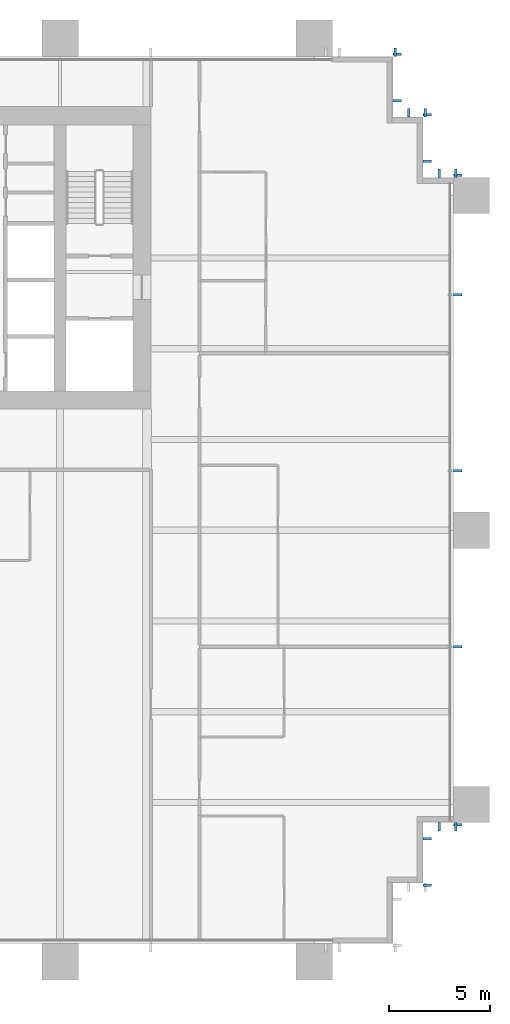
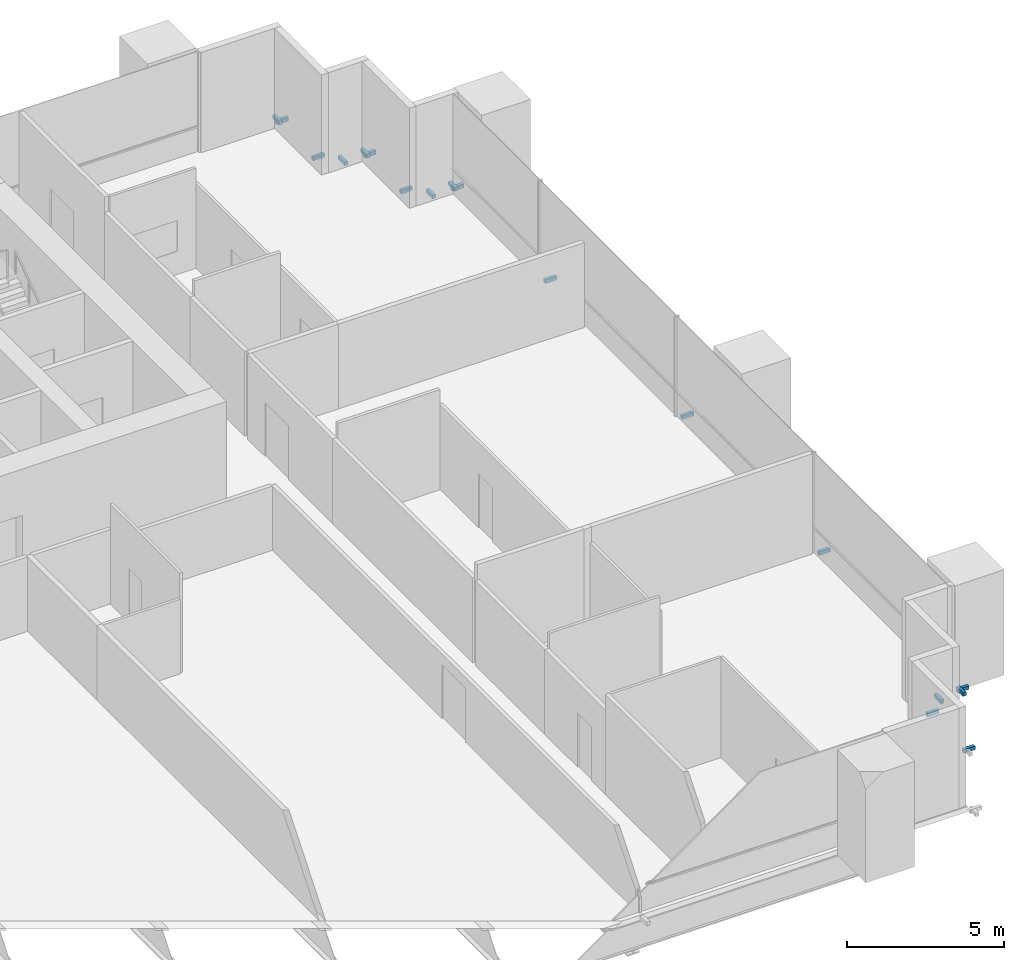
# One storey, part 16 of 17: 18 discrete accessories.
"""IFC4 building model written with IfcOpenShell, lengths in metres."""

from ifc_helpers import new_model, si_unit, direction, frame, origin, origin_2d, place, context, subcontext, project, spatial, rectangle, extrude, element, save


model = new_model("IFC4")

# Units and contexts
model_context = context("Model", 3, precision=1e-05, world=origin(), true_north=direction((0.0, 1.0)))
body_context = subcontext(model_context, "Body", "Model", "MODEL_VIEW")
ifc_project = project(units=[si_unit("LENGTHUNIT", "METRE"), si_unit("AREAUNIT", "SQUARE_METRE"), si_unit("VOLUMEUNIT", "CUBIC_METRE"), si_unit("PLANEANGLEUNIT", "RADIAN"), si_unit("MASSUNIT", "GRAM", prefix="KILO")], contexts=[model_context])

# Site, building, storey
site_placement = place(None, origin())
site = spatial("IfcSite", under=ifc_project, at=site_placement, CompositionType="ELEMENT")
building_placement = place(site_placement, origin())
building = spatial("IfcBuilding", under=site, at=building_placement, Name="Rattan Terrace Tower", CompositionType="ELEMENT")
storey_placement = place(building_placement, frame((0.0, 0.0, 61.10009765625)))
storey = spatial("IfcBuildingStorey", under=building, at=storey_placement, Name="L13", CompositionType="ELEMENT", Elevation=61.10009765625)

# Discrete accessories
for number, where, z_axis, x_axis, name in (
    (1, (31.7099609375, -31.110107421875, -0.169921875), (0.0, 0.0, 1.0), (0.0, 1.0, 0.0), "Panel bracket L13-7"),
    (2, (31.7099609375, -28.7900390625, -0.169921875), (0.0, 0.0, 1.0), (0.0, 1.0, 0.0), "Panel bracket L13-8"),
    (3, (32.2900390625, -28.2099609375, -0.169921875), (0.0, 0.0, 1.0), (1.0, 0.0, 0.0), "Panel bracket L13-9"),
    (4, (33.110107421875, -28.2099609375, -0.169921875), (0.0, 0.0, 1.0), (1.0, 0.0, 0.0), "Panel bracket L13-10"),
    (5, (33.2099609375, -28.110107421875, -0.169921875), (0.0, 0.0, 1.0), (0.0, 1.0, 0.0), "Panel bracket L13-11"),
    (6, (33.2099609375, -19.27294921875, -0.169921875), (0.0, 0.0, 1.0), (0.0, 1.0, 0.0), "Panel bracket L13-12"),
    (7, (33.2099609375, -10.5458984375, -0.169921875), (0.0, 0.0, 1.0), (0.0, 1.0, 0.0), "Panel bracket L13-13"),
    (8, (33.2099609375, -1.819091796875, -0.169921875), (0.0, 0.0, 1.0), (0.0, 1.0, 0.0), "Panel bracket L13-14"),
    (9, (33.2099609375, 4.110107421875, -0.169921875), (0.0, 0.0, 1.0), (0.0, 1.0, 0.0), "Panel bracket L13-15"),
    (10, (33.110107421875, 4.2099609375, -0.169921875), (0.0, 0.0, 1.0), (-1.0, 0.0, 0.0), "Panel bracket L13-16"),
    (11, (32.2900390625, 4.2099609375, -0.169921875), (0.0, 0.0, 1.0), (-1.0, 0.0, 0.0), "Panel bracket L13-17"),
    (12, (31.7099609375, 4.7900390625, -0.169921875), (0.0, 0.0, 1.0), (0.0, 1.0, 0.0), "Panel bracket L13-18"),
    (13, (31.7099609375, 7.110107421875, -0.169921875), (0.0, 0.0, 1.0), (0.0, 1.0, 0.0), "Panel bracket L13-19"),
    (14, (31.610107421875, 7.2099609375, -0.169921875), (0.0, 0.0, 1.0), (-1.0, 0.0, 0.0), "Panel bracket L13-20"),
    (15, (30.7900390625, 7.2099609375, -0.169921875), (0.0, 0.0, 1.0), (-1.0, 0.0, 0.0), "Panel bracket L13-21"),
    (16, (30.2099609375, 7.7900390625, -0.169921875), (0.0, 0.0, 1.0), (0.0, 1.0, 0.0), "Panel bracket L13-22"),
    (17, (30.2099609375, 10.110107421875, -0.169921875), (0.0, 0.0, 1.0), (0.0, 1.0, 0.0), "Panel bracket L13-23"),
    (18, (30.110107421875, 10.2099609375, -0.169921875), (0.0, 0.0, 1.0), (-1.0, 0.0, 0.0), "Panel bracket L13-24"),
):
    element("IfcDiscreteAccessory", number, at=place(storey_placement, frame(where, z_axis=z_axis, x_axis=x_axis)), inside=storey, Name=name, PredefinedType="BRACKET", context=body_context, shape_type="SweptSolid", body=[
        extrude(rectangle(XDim=0.1201171875, YDim=0.419921875, at=origin_2d()), origin(), (0.0, 0.0, 1.0), 0.139892578125),
    ])

save(model, "model.ifc")
